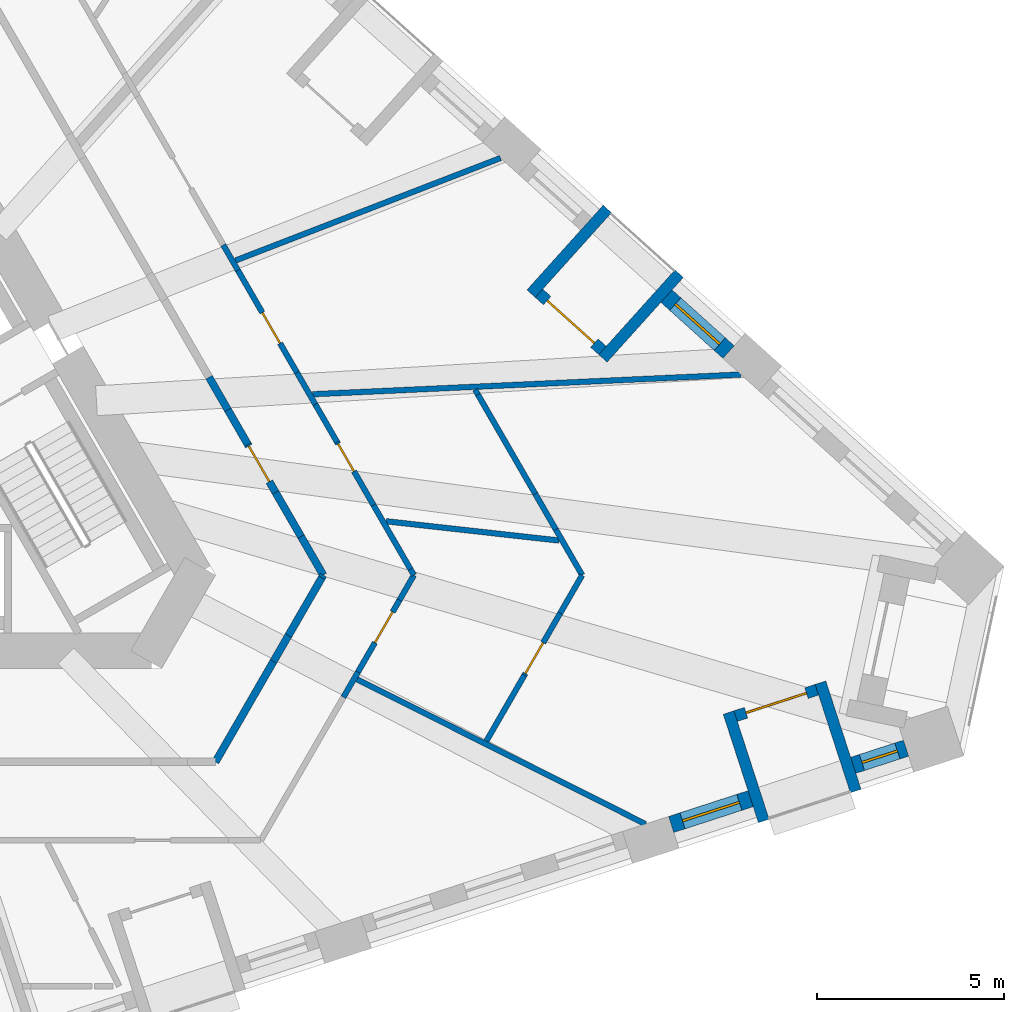
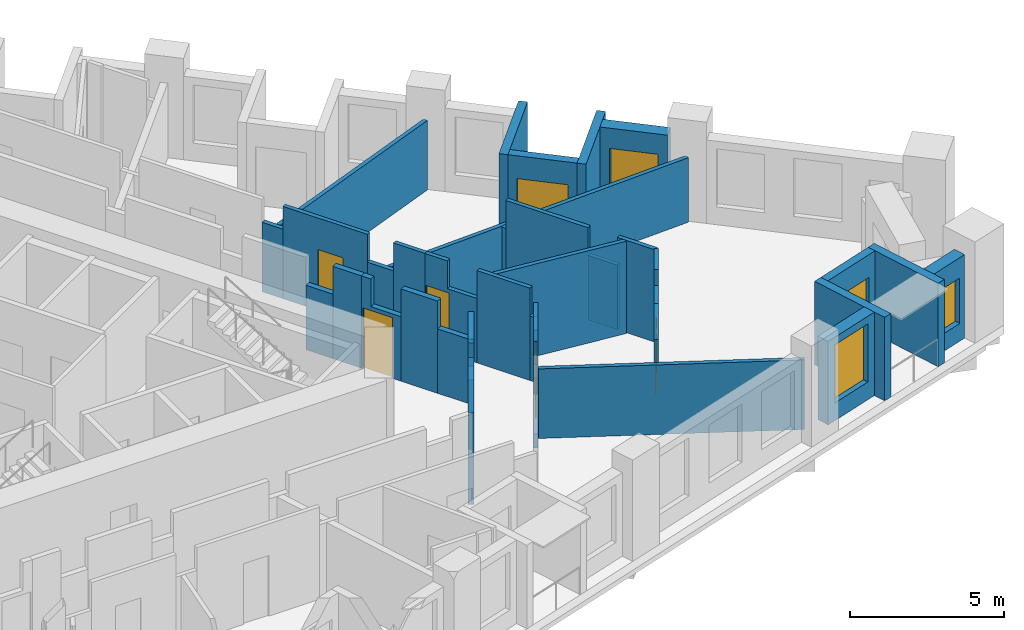
# One storey, part 6 of 12: 39 walls, 7 doors, 3 windows, 10 openings.
"""IFC4 building model written with IfcOpenShell, lengths in metres."""

from ifc_helpers import new_model, si_unit, direction, frame, frame_2d, origin, place, context, subcontext, project, spatial, polyline, rectangle, outline, extrude, material, layer, layer_set, type_object, element, fill, save


model = new_model("IFC4")

# Units and contexts
model_context = context("Model", 3, precision=1e-05, world=origin(), true_north=direction((0.0, 1.0)))
body_context = subcontext(model_context, "Body", "Model", "MODEL_VIEW")
ifc_project = project(units=[si_unit("LENGTHUNIT", "METRE"), si_unit("AREAUNIT", "SQUARE_METRE"), si_unit("VOLUMEUNIT", "CUBIC_METRE"), si_unit("PLANEANGLEUNIT", "RADIAN"), si_unit("MASSUNIT", "GRAM", prefix="KILO")], contexts=[model_context])

# Site, building, storey
site_placement = place(None, origin())
site = spatial("IfcSite", under=ifc_project, at=site_placement, CompositionType="ELEMENT")
building_placement = place(site_placement, origin())
building = spatial("IfcBuilding", under=site, at=building_placement, Name="Tramontana Tower", CompositionType="ELEMENT")
storey_placement = place(building_placement, frame((0.0, 0.0, 92.39990234375)))
storey = spatial("IfcBuildingStorey", under=building, at=storey_placement, Name="L20", CompositionType="ELEMENT", Elevation=92.39990234375)

# Walls
ifc_material_1 = material(Name="Blockwork", Category="masonry")
ifc_layer_1 = layer(ifc_material_1, 0.199951171875)
ifc_layer_set_1 = layer_set([ifc_layer_1], Name="ENTRY WALL 200")
wall_type_1 = type_object("IfcWallType", Name="ENTRY WALL 200", PredefinedType="SOLIDWALL", material=ifc_layer_set_1)
wall_1_placement = place(storey_placement, frame((10.077392578125, 1.04541015625, 0.0), z_axis=(0.0, 0.0, 1.0), x_axis=(0.500051323872, -0.865995769906, 0.0)))
element("IfcWall", 1, at=wall_1_placement, inside=storey, type_object=wall_type_1, Name="Wall v20-ew0-7", PredefinedType="SOLIDWALL", context=body_context, shape_type="SweptSolid", body=[
    extrude(rectangle(XDim=1.0068359375, YDim=0.199951171875, at=frame_2d((0.50341796875, 0.0))), origin(), (0.0, 0.0, 1.0), 2.550048828125),
])
wall_2_placement = place(storey_placement, frame((10.580810546875, 0.173583984375, 0.0), z_axis=(0.0, 0.0, 1.0), x_axis=(0.499920058375, -0.866071553184, 0.0)))
element("IfcWall", 2, at=wall_2_placement, inside=storey, type_object=wall_type_1, Name="Wall v20-ew0-8", PredefinedType="SOLIDWALL", context=body_context, shape_type="SweptSolid", body=[
    extrude(rectangle(XDim=1.069580078125, YDim=0.199951171875, at=frame_2d((0.53466796875, 0.0))), origin(), (0.0, 0.0, 1.0), 3.650146484375),
])

# Wall, opening, door
wall_3_placement = place(storey_placement, frame((11.115478515625, -0.752685546875, 0.0), z_axis=(0.0, 0.0, 1.0), x_axis=(0.499973719246, -0.866040576453, 0.0)))
wall_3 = element("IfcWall", 3, at=wall_3_placement, inside=storey, type_object=wall_type_1, Name="Wall v20-ew0-9", PredefinedType="SOLIDWALL", context=body_context, shape_type="SweptSolid", body=[
    extrude(outline(polyline([(0.0, 0.0), (1.48583984375, 0.0), (1.48583984375, 2.550048828125), (0.349853515625, 2.550048828125), (0.349853515625, 3.650146484375), (0.0, 3.650146484375), (0.0, 0.0)])), frame((0.0, 0.10009765625, 0.0), z_axis=(0.0, -1.0, 0.0), x_axis=(1.0, 0.0, 0.0)), (0.0, 0.0, 1.0), 0.199951171875),
])
opening_1_placement = place(wall_3_placement, frame((0.050048828125, 0.0, 0.0)))
opening_1 = element("IfcOpeningElement", 4, at=opening_1_placement, cuts=wall_3, Name="Opening B2A-24", PredefinedType="OPENING", context=body_context, shape_type="SweptSolid", body=[
    extrude(rectangle(XDim=1.10009765625, YDim=2.39990234375, at=frame_2d((0.550048828125, 1.199951171875))), frame((0.0, 0.10986328125, 0.0), z_axis=(0.0, -1.0, 0.0), x_axis=(1.0, 0.0, 0.0)), (0.0, 0.0, 1.0), 0.219970703125),
])
ifc_material_2 = material(Name="Painted timber", Category="wood")
door_type_1 = type_object("IfcDoorType", Name="DOOR ENTRY 1100", OperationType="SINGLE_SWING_LEFT", PredefinedType="DOOR", material=ifc_material_2)
door_1_placement = place(opening_1_placement, origin())
door_1 = element("IfcDoor", 5, at=door_1_placement, inside=storey, type_object=door_type_1, Name="Door B2A-24", OperationType="SINGLE_SWING_RIGHT", OverallHeight=2.39990234375, OverallWidth=1.10009765625, PredefinedType="DOOR", context=body_context, shape_type="SweptSolid", body=[
    extrude(rectangle(XDim=1.10009765625, YDim=2.39990234375, at=frame_2d((0.550048828125, 1.199951171875))), frame((0.0, 0.02490234375, 0.0), z_axis=(0.0, -1.0, 0.0), x_axis=(1.0, 0.0, 0.0)), (0.0, 0.0, 1.0), 0.050048828125),
])
fill(opening_1, door_1)

# Walls
wall_4_placement = place(storey_placement, frame((11.8583984375, -2.03955078125, 0.0), z_axis=(0.0, 0.0, 1.0), x_axis=(0.500038357328, -0.866003257038, 0.0)))
element("IfcWall", 6, at=wall_4_placement, inside=storey, type_object=wall_type_1, Name="Wall v20-ew0-10", PredefinedType="SOLIDWALL", context=body_context, shape_type="SweptSolid", body=[
    extrude(rectangle(XDim=1.3603515625, YDim=0.199951171875, at=frame_2d((0.68017578125, 0.0))), origin(), (0.0, 0.0, 1.0), 3.650146484375),
])
wall_5_placement = place(storey_placement, frame((12.53857421875, -3.217529296875, 0.0), z_axis=(0.0, 0.0, 1.0), x_axis=(0.500059236744, -0.865991200733, 0.0)))
element("IfcWall", 7, at=wall_5_placement, inside=storey, type_object=wall_type_1, Name="Wall v20-ew0-11", PredefinedType="SOLIDWALL", context=body_context, shape_type="SweptSolid", body=[
    extrude(rectangle(XDim=1.192138671875, YDim=0.199951171875, at=frame_2d((0.59619140625, 0.0))), origin(), (0.0, 0.0, 1.0), 2.550048828125),
])
wall_6_placement = place(storey_placement, frame((13.134765625, -4.25, 0.0), z_axis=(0.0, 0.0, 1.0), x_axis=(-0.501397775159, -0.865216892499, 0.0)))
element("IfcWall", 8, at=wall_6_placement, inside=storey, type_object=wall_type_1, Name="Wall v20-ew1-0", PredefinedType="SOLIDWALL", context=body_context, shape_type="SweptSolid", body=[
    extrude(rectangle(XDim=0.079833984375, YDim=0.199951171875, at=frame_2d((0.0400390625, 0.0))), origin(), (0.0, 0.0, 1.0), 2.550048828125),
])
wall_7_placement = place(storey_placement, frame((13.0947265625, -4.319091796875, 0.0), z_axis=(0.0, 0.0, 1.0), x_axis=(-0.499986405537, -0.866033252409, 0.0)))
element("IfcWall", 9, at=wall_7_placement, inside=storey, type_object=wall_type_1, Name="Wall v20-ew1-1", PredefinedType="SOLIDWALL", context=body_context, shape_type="SweptSolid", body=[
    extrude(rectangle(XDim=1.7880859375, YDim=0.199951171875, at=frame_2d((0.89404296875, 0.0))), origin(), (0.0, 0.0, 1.0), 3.650146484375),
])
wall_8_placement = place(storey_placement, frame((12.20068359375, -5.86767578125, 0.0), z_axis=(0.0, 0.0, 1.0), x_axis=(-0.499942357345, -0.866058681229, 0.0)))
element("IfcWall", 10, at=wall_8_placement, inside=storey, type_object=wall_type_1, Name="Wall v20-ew1-2", PredefinedType="SOLIDWALL", context=body_context, shape_type="SweptSolid", body=[
    extrude(rectangle(XDim=0.80078125, YDim=0.199951171875, at=frame_2d((0.400390625, 0.0))), origin(), (0.0, 0.0, 1.0), 2.75),
])
wall_9_placement = place(storey_placement, frame((11.80029296875, -6.561279296875, 0.0), z_axis=(0.0, 0.0, 1.0), x_axis=(-0.499978855264, -0.866037611359, 0.0)))
element("IfcWall", 11, at=wall_9_placement, inside=storey, type_object=wall_type_1, Name="Wall v20-ew1-3", PredefinedType="SOLIDWALL", context=body_context, shape_type="SweptSolid", body=[
    extrude(rectangle(XDim=3.104736328125, YDim=0.199951171875, at=frame_2d((1.55224609375, 0.0))), origin(), (0.0, 0.0, 1.0), 3.650146484375),
])

# Wall, opening, window
ifc_material_3 = material(Name="Precast concrete 60 MPa", Category="concrete")
ifc_layer_2 = layer(ifc_material_3, 0.449951171875)
ifc_layer_set_2 = layer_set([ifc_layer_2], Name="Precast concrete 60 MPa, 450 mm")
wall_type_2 = type_object("IfcWallType", Name="EW1 Stone-faced precast wall 450", PredefinedType="SOLIDWALL", material=ifc_layer_set_2)
wall_10_placement = place(storey_placement, frame((22.444580078125, -10.923828125, 0.0), z_axis=(0.0, 0.0, 1.0), x_axis=(0.951067749801, 0.30898241906, 0.0)))
wall_10 = element("IfcWall", 12, at=wall_10_placement, inside=storey, type_object=wall_type_2, Name="External wall L20 face 1 bay 6", PredefinedType="SOLIDWALL", context=body_context, shape_type="SweptSolid", body=[
    extrude(rectangle(XDim=2.23681640625, YDim=0.449951171875, at=frame_2d((1.118408203125, 0.0))), origin(), (0.0, 0.0, 1.0), 3.300048828125),
])
opening_2_placement = place(wall_10_placement, frame((0.318359375, 0.0, 0.699951171875)))
opening_2 = element("IfcOpeningElement", 13, at=opening_2_placement, cuts=wall_10, Name="Opening M1", PredefinedType="OPENING", context=body_context, shape_type="SweptSolid", body=[
    extrude(rectangle(XDim=1.60009765625, YDim=2.300048828125, at=frame_2d((0.800048828125, 1.14990234375))), frame((0.0, 0.23486328125, 0.0), z_axis=(0.0, -1.0, 0.0), x_axis=(1.0, 0.0, 0.0)), (0.0, 0.0, 1.0), 0.469970703125),
])
ifc_material_4 = material(Name="Aluminum frame, double glazing unit", Category="aluminium")
window_type_1 = type_object("IfcWindowType", Name="M1 Window 1.6 x 2.3", PartitioningType="SINGLE_PANEL", PredefinedType="WINDOW", material=ifc_material_4)
window_1_placement = place(opening_2_placement, origin())
window_1 = element("IfcWindow", 14, at=window_1_placement, inside=storey, type_object=window_type_1, Name="Window M1 L20 face 1 module 16", OverallHeight=2.300048828125, OverallWidth=1.60009765625, PartitioningType="SINGLE_PANEL", PredefinedType="WINDOW", context=body_context, shape_type="SweptSolid", body=[
    extrude(rectangle(XDim=1.60009765625, YDim=2.300048828125, at=frame_2d((0.800048828125, 1.14990234375))), frame((0.0, 0.030029296875, 0.0), z_axis=(0.0, -1.0, 0.0), x_axis=(1.0, 0.0, 0.0)), (0.0, 0.0, 1.0), 0.06005859375),
])
fill(opening_2, window_1)

wall_11_placement = place(storey_placement, frame((27.3173828125, -9.340576171875, 0.0), z_axis=(0.0, 0.0, 1.0), x_axis=(0.951053373744, 0.309026665985, 0.0)))
wall_11 = element("IfcWall", 15, at=wall_11_placement, inside=storey, type_object=wall_type_2, Name="External wall L20 face 1 bay 6", PredefinedType="SOLIDWALL", context=body_context, shape_type="SweptSolid", body=[
    extrude(rectangle(XDim=1.48681640625, YDim=0.449951171875, at=frame_2d((0.743408203125, 0.0))), origin(), (0.0, 0.0, 1.0), 3.300048828125),
])
opening_3_placement = place(wall_11_placement, frame((0.243408203125, 0.0, 0.699951171875)))
opening_3 = element("IfcOpeningElement", 16, at=opening_3_placement, cuts=wall_11, Name="Opening N1L", PredefinedType="OPENING", context=body_context, shape_type="SweptSolid", body=[
    extrude(rectangle(XDim=1.0, YDim=1.800048828125, at=frame_2d((0.5, 0.89990234375))), frame((0.0, 0.23486328125, 0.0), z_axis=(0.0, -1.0, 0.0), x_axis=(1.0, 0.0, 0.0)), (0.0, 0.0, 1.0), 0.469970703125),
])
ifc_material_5 = material(Name="Aluminum frame, double glazing unit", Category="aluminium")
window_type_2 = type_object("IfcWindowType", Name="N1L Window 1 x 1.8", PartitioningType="SINGLE_PANEL", PredefinedType="WINDOW", material=ifc_material_5)
window_2_placement = place(opening_3_placement, origin())
window_2 = element("IfcWindow", 17, at=window_2_placement, inside=storey, type_object=window_type_2, Name="Window N1L L20 face 1 module 18", OverallHeight=1.800048828125, OverallWidth=1.0, PartitioningType="SINGLE_PANEL", PredefinedType="WINDOW", context=body_context, shape_type="SweptSolid", body=[
    extrude(rectangle(XDim=1.0, YDim=1.800048828125, at=frame_2d((0.5, 0.89990234375))), frame((0.0, 0.030029296875, 0.0), z_axis=(0.0, -1.0, 0.0), x_axis=(1.0, 0.0, 0.0)), (0.0, 0.0, 1.0), 0.06005859375),
])
fill(opening_3, window_2)

wall_12_placement = place(storey_placement, frame((23.981201171875, 1.72021484375, 0.0), z_axis=(0.0, 0.0, 1.0), x_axis=(-0.743142151309, 0.669133576311, 0.0)))
wall_12 = element("IfcWall", 18, at=wall_12_placement, inside=storey, type_object=wall_type_2, Name="External wall L20 face 2 bay 2", PredefinedType="SOLIDWALL", context=body_context, shape_type="SweptSolid", body=[
    extrude(rectangle(XDim=2.236572265625, YDim=0.449951171875, at=frame_2d((1.1181640625, 0.0))), origin(), (0.0, 0.0, 1.0), 3.300048828125),
])
opening_4_placement = place(wall_12_placement, frame((0.318359375, 0.0, 0.699951171875)))
opening_4 = element("IfcOpeningElement", 19, at=opening_4_placement, cuts=wall_12, Name="Opening M1L", PredefinedType="OPENING", context=body_context, shape_type="SweptSolid", body=[
    extrude(rectangle(XDim=1.60009765625, YDim=1.800048828125, at=frame_2d((0.800048828125, 0.89990234375))), frame((0.0, 0.23486328125, 0.0), z_axis=(0.0, -1.0, 0.0), x_axis=(1.0, 0.0, 0.0)), (0.0, 0.0, 1.0), 0.469970703125),
])
ifc_material_6 = material(Name="Aluminum frame, double glazing unit", Category="aluminium")
window_type_3 = type_object("IfcWindowType", Name="M1L Window 1.6 x 1.8", PartitioningType="SINGLE_PANEL", PredefinedType="WINDOW", material=ifc_material_6)
window_3_placement = place(opening_4_placement, origin())
window_3 = element("IfcWindow", 20, at=window_3_placement, inside=storey, type_object=window_type_3, Name="Window M1L L20 face 2 module 4", OverallHeight=1.800048828125, OverallWidth=1.60009765625, PartitioningType="SINGLE_PANEL", PredefinedType="WINDOW", context=body_context, shape_type="SweptSolid", body=[
    extrude(rectangle(XDim=1.60009765625, YDim=1.800048828125, at=frame_2d((0.800048828125, 0.89990234375))), frame((0.0, 0.030029296875, 0.0), z_axis=(0.0, -1.0, 0.0), x_axis=(1.0, 0.0, 0.0)), (0.0, 0.0, 1.0), 0.06005859375),
])
fill(opening_4, window_3)

# Wall, opening, door
ifc_material_7 = material(Name="Precast concrete 60 MPa", Category="concrete")
ifc_layer_3 = layer(ifc_material_7, 0.300048828125)
ifc_layer_set_3 = layer_set([ifc_layer_3], Name="LW1 Stone-faced loggia wall 300")
wall_type_3 = type_object("IfcWallType", Name="LW1 Stone-faced loggia wall 300", PredefinedType="SOLIDWALL", material=ifc_layer_set_3)
wall_13_placement = place(storey_placement, frame((24.169677734375, -8.02392578125, 0.0), z_axis=(0.0, 0.0, 1.0), x_axis=(0.95103720697, 0.309076416051, 0.0)))
wall_13 = element("IfcWall", 21, at=wall_13_placement, inside=storey, type_object=wall_type_3, Name="Loggia wall L20 G2S1.16", PredefinedType="SOLIDWALL", context=body_context, shape_type="SweptSolid", body=[
    extrude(rectangle(XDim=2.286865234375, YDim=0.300048828125, at=frame_2d((1.1435546875, 0.0))), origin(), (0.0, 0.0, 1.0), 3.300048828125),
])
opening_5_placement = place(wall_13_placement, frame((0.29345703125, 0.0, 0.0)))
opening_5 = element("IfcOpeningElement", 22, at=opening_5_placement, cuts=wall_13, Name="Opening BD-2S1-16", PredefinedType="OPENING", context=body_context, shape_type="SweptSolid", body=[
    extrude(rectangle(XDim=1.699951171875, YDim=2.39990234375, at=frame_2d((0.85009765625, 1.199951171875))), frame((0.0, 0.159912109375, 0.0), z_axis=(0.0, -1.0, 0.0), x_axis=(1.0, 0.0, 0.0)), (0.0, 0.0, 1.0), 0.320068359375),
])
ifc_material_8 = material(Name="Aluminum frame, double glazing unit", Category="aluminium")
door_type_2 = type_object("IfcDoorType", Name="BD1 Sliding door 1.7 x 2.4", OperationType="SLIDING_TO_LEFT", PredefinedType="DOOR", material=ifc_material_8)
door_2_placement = place(opening_5_placement, origin())
door_2 = element("IfcDoor", 23, at=door_2_placement, inside=storey, type_object=door_type_2, Name="Loggia door L20 G2S1.16", OperationType="SLIDING_TO_LEFT", OverallHeight=2.39990234375, OverallWidth=1.699951171875, PredefinedType="DOOR", context=body_context, shape_type="SweptSolid", body=[
    extrude(rectangle(XDim=1.699951171875, YDim=2.39990234375, at=frame_2d((0.85009765625, 1.199951171875))), frame((0.0, 0.02490234375, 0.0), z_axis=(0.0, -1.0, 0.0), x_axis=(1.0, 0.0, 0.0)), (0.0, 0.0, 1.0), 0.050048828125),
])
fill(opening_5, door_2)

# Walls
wall_14_placement = place(storey_placement, frame((24.923095703125, -10.828369140625, 0.0), z_axis=(0.0, 0.0, 1.0), x_axis=(-0.308966615996, 0.951072883748, 0.0)))
element("IfcWall", 24, at=wall_14_placement, inside=storey, type_object=wall_type_3, Name="Loggia return L20 G2S1.16a", PredefinedType="SOLIDWALL", context=body_context, shape_type="SweptSolid", body=[
    extrude(rectangle(XDim=3.050048828125, YDim=0.300048828125, at=frame_2d((1.52490234375, 0.0))), origin(), (0.0, 0.0, 1.0), 3.300048828125),
])
wall_15_placement = place(storey_placement, frame((27.38330078125, -10.02880859375, 0.0), z_axis=(0.0, 0.0, 1.0), x_axis=(-0.308990138358, 0.951065241925, 0.0)))
element("IfcWall", 25, at=wall_15_placement, inside=storey, type_object=wall_type_3, Name="Loggia return L20 G2S1.16b", PredefinedType="SOLIDWALL", context=body_context, shape_type="SweptSolid", body=[
    extrude(rectangle(XDim=3.0498046875, YDim=0.300048828125, at=frame_2d((1.52490234375, 0.0))), origin(), (0.0, 0.0, 1.0), 3.300048828125),
])

# Wall, opening, door
wall_16_placement = place(storey_placement, frame((20.607421875, 1.76416015625, 0.0), z_axis=(0.0, 0.0, 1.0), x_axis=(-0.743182653308, 0.669088591909, 0.0)))
wall_16 = element("IfcWall", 26, at=wall_16_placement, inside=storey, type_object=wall_type_3, Name="Loggia wall L20 G2S2.4", PredefinedType="SOLIDWALL", context=body_context, shape_type="SweptSolid", body=[
    extrude(rectangle(XDim=2.28662109375, YDim=0.300048828125, at=frame_2d((1.143310546875, 0.0))), origin(), (0.0, 0.0, 1.0), 3.300048828125),
])
opening_6_placement = place(wall_16_placement, frame((0.29345703125, 0.0, 0.0)))
opening_6 = element("IfcOpeningElement", 27, at=opening_6_placement, cuts=wall_16, Name="Opening BD-2S2-04", PredefinedType="OPENING", context=body_context, shape_type="SweptSolid", body=[
    extrude(rectangle(XDim=1.699951171875, YDim=2.39990234375, at=frame_2d((0.85009765625, 1.199951171875))), frame((0.0, 0.159912109375, 0.0), z_axis=(0.0, -1.0, 0.0), x_axis=(1.0, 0.0, 0.0)), (0.0, 0.0, 1.0), 0.320068359375),
])
door_3_placement = place(opening_6_placement, origin())
door_3 = element("IfcDoor", 28, at=door_3_placement, inside=storey, type_object=door_type_2, Name="Loggia door L20 G2S2.4", OperationType="SLIDING_TO_LEFT", OverallHeight=2.39990234375, OverallWidth=1.699951171875, PredefinedType="DOOR", context=body_context, shape_type="SweptSolid", body=[
    extrude(rectangle(XDim=1.699951171875, YDim=2.39990234375, at=frame_2d((0.85009765625, 1.199951171875))), frame((0.0, 0.02490234375, 0.0), z_axis=(0.0, -1.0, 0.0), x_axis=(1.0, 0.0, 0.0)), (0.0, 0.0, 1.0), 0.050048828125),
])
fill(opening_6, door_3)

# Walls
for number, where, z_axis, x_axis, name in (
    (29, (22.6591796875, 3.81884765625, 0.0), (0.0, 0.0, 1.0), (-0.669115082961, -0.743158802514, 0.0), "Loggia return L20 G2S2.4a"),
    (30, (20.73681640625, 5.5498046875, 0.0), (0.0, 0.0, 1.0), (-0.669115082961, -0.743158802514, 0.0), "Loggia return L20 G2S2.4b"),
):
    element("IfcWall", number, at=place(storey_placement, frame(where, z_axis=z_axis, x_axis=x_axis)), inside=storey, type_object=wall_type_3, Name=name, PredefinedType="SOLIDWALL", context=body_context, shape_type="SweptSolid", body=[
        extrude(rectangle(XDim=3.050048828125, YDim=0.300048828125, at=frame_2d((1.52490234375, 0.0))), origin(), (0.0, 0.0, 1.0), 3.300048828125),
    ])
ifc_material_9 = material(Name="Gypsum board partition")
ifc_layer_4 = layer(ifc_material_9, 0.14990234375)
ifc_layer_set_4 = layer_set([ifc_layer_4], Name="PARTITION 150")
wall_type_4 = type_object("IfcWallType", Name="PARTITION 150", PredefinedType="PARTITIONING", material=ifc_layer_set_4)
wall_17_placement = place(storey_placement, frame((10.4580078125, 4.58642578125, 0.0), z_axis=(0.0, 0.0, 1.0), x_axis=(0.49979442921, -0.866144057608, 0.0)))
element("IfcWall", 31, at=wall_17_placement, inside=storey, type_object=wall_type_4, Name="Wall v20-pw23-4", PredefinedType="PARTITIONING", context=body_context, shape_type="SweptSolid", body=[
    extrude(rectangle(XDim=0.782958984375, YDim=0.14990234375, at=frame_2d((0.3916015625, 0.0))), origin(), (0.0, 0.0, 1.0), 2.75),
])

# Wall, opening, door
wall_18_placement = place(storey_placement, frame((10.849365234375, 3.908203125, 0.0), z_axis=(0.0, 0.0, 1.0), x_axis=(0.500027861653, -0.866009317254, 0.0)))
wall_18 = element("IfcWall", 32, at=wall_18_placement, inside=storey, type_object=wall_type_4, Name="Wall v20-pw23-5", PredefinedType="PARTITIONING", context=body_context, shape_type="SweptSolid", body=[
    extrude(rectangle(XDim=3.159912109375, YDim=0.14990234375, at=frame_2d((1.580078125, 0.0))), origin(), (0.0, 0.0, 1.0), 3.650146484375),
])
opening_7_placement = place(wall_18_placement, frame((1.30712890625, 0.0, 0.0)))
opening_7 = element("IfcOpeningElement", 33, at=opening_7_placement, cuts=wall_18, Name="Opening B2A-18", PredefinedType="OPENING", context=body_context, shape_type="SweptSolid", body=[
    extrude(rectangle(XDim=0.949951171875, YDim=2.39990234375, at=frame_2d((0.47509765625, 1.199951171875))), frame((0.0, 0.0849609375, 0.0), z_axis=(0.0, -1.0, 0.0), x_axis=(1.0, 0.0, 0.0)), (0.0, 0.0, 1.0), 0.169921875),
])
ifc_material_10 = material(Name="Painted timber", Category="wood")
door_type_3 = type_object("IfcDoorType", Name="DOOR ROOM 950", OperationType="SINGLE_SWING_LEFT", PredefinedType="DOOR", material=ifc_material_10)
door_4_placement = place(opening_7_placement, origin())
door_4 = element("IfcDoor", 34, at=door_4_placement, inside=storey, type_object=door_type_3, Name="Door B2A-18", OperationType="SINGLE_SWING_RIGHT", OverallHeight=2.39990234375, OverallWidth=0.949951171875, PredefinedType="DOOR", context=body_context, shape_type="SweptSolid", body=[
    extrude(rectangle(XDim=0.949951171875, YDim=2.39990234375, at=frame_2d((0.47509765625, 1.199951171875))), frame((0.0, 0.02490234375, 0.0), z_axis=(0.0, -1.0, 0.0), x_axis=(1.0, 0.0, 0.0)), (0.0, 0.0, 1.0), 0.050048828125),
])
fill(opening_7, door_4)

# Walls
wall_19_placement = place(storey_placement, frame((12.429443359375, 1.171630859375, 0.0), z_axis=(0.0, 0.0, 1.0), x_axis=(0.499895202697, -0.866085900082, 0.0)))
element("IfcWall", 35, at=wall_19_placement, inside=storey, type_object=wall_type_4, Name="Wall v20-pw23-6", PredefinedType="PARTITIONING", context=body_context, shape_type="SweptSolid", body=[
    extrude(rectangle(XDim=0.978759765625, YDim=0.14990234375, at=frame_2d((0.4892578125, 0.0))), origin(), (0.0, 0.0, 1.0), 2.550048828125),
])
wall_20_placement = place(storey_placement, frame((12.918701171875, 0.323974609375, 0.0), z_axis=(0.0, 0.0, 1.0), x_axis=(0.500028278809, -0.866009076391, 0.0)))
element("IfcWall", 36, at=wall_20_placement, inside=storey, type_object=wall_type_4, Name="Wall v20-pw23-7", PredefinedType="PARTITIONING", context=body_context, shape_type="SweptSolid", body=[
    extrude(rectangle(XDim=1.1748046875, YDim=0.14990234375, at=frame_2d((0.58740234375, 0.0))), origin(), (0.0, 0.0, 1.0), 3.650146484375),
])

# Wall, opening, door
wall_21_placement = place(storey_placement, frame((13.506103515625, -0.693359375, 0.0), z_axis=(0.0, 0.0, 1.0), x_axis=(0.500001430823, -0.866024577697, 0.0)))
wall_21 = element("IfcWall", 37, at=wall_21_placement, inside=storey, type_object=wall_type_4, Name="Wall v20-pw23-8", PredefinedType="PARTITIONING", context=body_context, shape_type="SweptSolid", body=[
    extrude(outline(polyline([(0.0, 0.0), (1.9443359375, 0.0), (1.944580078125, 2.550048828125), (0.83984375, 2.550048828125), (0.83984375, 3.650146484375), (0.0, 3.650146484375), (0.0, 0.0)])), frame((0.0, 0.074951171875, 0.0), z_axis=(0.0, -1.0, 0.0), x_axis=(1.0, 0.0, 0.0)), (0.0, 0.0, 1.0), 0.14990234375),
])
opening_8_placement = place(wall_21_placement, frame((0.050048828125, 0.0, 0.0)))
opening_8 = element("IfcOpeningElement", 38, at=opening_8_placement, cuts=wall_21, Name="Opening B2A-16", PredefinedType="OPENING", context=body_context, shape_type="SweptSolid", body=[
    extrude(rectangle(XDim=0.85009765625, YDim=2.39990234375, at=frame_2d((0.425048828125, 1.199951171875))), frame((0.0, 0.0849609375, 0.0), z_axis=(0.0, -1.0, 0.0), x_axis=(1.0, 0.0, 0.0)), (0.0, 0.0, 1.0), 0.169921875),
])
ifc_material_11 = material(Name="Painted timber", Category="wood")
door_type_4 = type_object("IfcDoorType", Name="DOOR BATH 850", OperationType="SINGLE_SWING_LEFT", PredefinedType="DOOR", material=ifc_material_11)
door_5_placement = place(opening_8_placement, origin())
door_5 = element("IfcDoor", 39, at=door_5_placement, inside=storey, type_object=door_type_4, Name="Door B2A-16", OperationType="SINGLE_SWING_RIGHT", OverallHeight=2.39990234375, OverallWidth=0.85009765625, PredefinedType="DOOR", context=body_context, shape_type="SweptSolid", body=[
    extrude(rectangle(XDim=0.85009765625, YDim=2.39990234375, at=frame_2d((0.425048828125, 1.199951171875))), frame((0.0, 0.02490234375, 0.0), z_axis=(0.0, -1.0, 0.0), x_axis=(1.0, 0.0, 0.0)), (0.0, 0.0, 1.0), 0.050048828125),
])
fill(opening_8, door_5)

# Walls
wall_22_placement = place(storey_placement, frame((14.478271484375, -2.377197265625, 0.0), z_axis=(0.0, 0.0, 1.0), x_axis=(0.499971491109, -0.866041862775, 0.0)))
element("IfcWall", 40, at=wall_22_placement, inside=storey, type_object=wall_type_4, Name="Wall v20-pw23-9", PredefinedType="PARTITIONING", context=body_context, shape_type="SweptSolid", body=[
    extrude(rectangle(XDim=1.97998046875, YDim=0.14990234375, at=frame_2d((0.989990234375, 0.0))), origin(), (0.0, 0.0, 1.0), 3.650146484375),
])
wall_23_placement = place(storey_placement, frame((15.46826171875, -4.092041015625, 0.0), z_axis=(0.0, 0.0, 1.0), x_axis=(0.50045593687, -0.865762008436, 0.0)))
element("IfcWall", 41, at=wall_23_placement, inside=storey, type_object=wall_type_4, Name="Wall v20-pw23-10", PredefinedType="PARTITIONING", context=body_context, shape_type="SweptSolid", body=[
    extrude(rectangle(XDim=0.182373046875, YDim=0.14990234375, at=frame_2d((0.09130859375, 0.0))), origin(), (0.0, 0.0, 1.0), 2.550048828125),
])
wall_24_placement = place(storey_placement, frame((10.784912109375, 4.170166015625, 0.0), z_axis=(0.0, 0.0, 1.0), x_axis=(0.932701213241, 0.360650033716, 0.0)))
element("IfcWall", 42, at=wall_24_placement, inside=storey, type_object=wall_type_4, Name="Wall v20-pw30-0", PredefinedType="PARTITIONING", context=body_context, shape_type="SweptSolid", body=[
    extrude(rectangle(XDim=7.604736328125, YDim=0.14990234375, at=frame_2d((3.80224609375, 0.0))), origin(), (0.0, 0.0, 1.0), 2.75),
])
wall_25_placement = place(storey_placement, frame((12.851318359375, 0.591064453125, 0.0), z_axis=(0.0, 0.0, 1.0), x_axis=(0.998944359646, 0.045936546805, 0.0)))
element("IfcWall", 43, at=wall_25_placement, inside=storey, type_object=wall_type_4, Name="Wall v20-pw33-0", PredefinedType="PARTITIONING", context=body_context, shape_type="SweptSolid", body=[
    extrude(rectangle(XDim=11.474609375, YDim=0.14990234375, at=frame_2d((5.7373046875, 0.0))), origin(), (0.0, 0.0, 1.0), 2.550048828125),
])
wall_26_placement = place(storey_placement, frame((14.813720703125, -2.80810546875, 0.0), z_axis=(0.0, 0.0, 1.0), x_axis=(0.993844670605, -0.110782537929, 0.0)))
element("IfcWall", 44, at=wall_26_placement, inside=storey, type_object=wall_type_4, Name="Wall v20-pw34", PredefinedType="PARTITIONING", context=body_context, shape_type="SweptSolid", body=[
    extrude(rectangle(XDim=4.656494140625, YDim=0.14990234375, at=frame_2d((2.328125, 0.0))), origin(), (0.0, 0.0, 1.0), 3.650146484375),
])
wall_27_placement = place(storey_placement, frame((15.5595703125, -4.25, 0.0), z_axis=(0.0, 0.0, 1.0), x_axis=(-0.500124558158, -0.865953478154, 0.0)))
element("IfcWall", 45, at=wall_27_placement, inside=storey, type_object=wall_type_4, Name="Wall v20-pw35-0", PredefinedType="PARTITIONING", context=body_context, shape_type="SweptSolid", body=[
    extrude(rectangle(XDim=0.770751953125, YDim=0.14990234375, at=frame_2d((0.38525390625, 0.0))), origin(), (0.0, 0.0, 1.0), 2.550048828125),
])

# Wall, opening, door
wall_28_placement = place(storey_placement, frame((15.174072265625, -4.91748046875, 0.0), z_axis=(0.0, 0.0, 1.0), x_axis=(-0.49993766618, -0.866061389241, 0.0)))
wall_28 = element("IfcWall", 46, at=wall_28_placement, inside=storey, type_object=wall_type_4, Name="Wall v20-pw35-1", PredefinedType="PARTITIONING", context=body_context, shape_type="SweptSolid", body=[
    extrude(rectangle(XDim=2.225830078125, YDim=0.14990234375, at=frame_2d((1.11279296875, 0.0))), origin(), (0.0, 0.0, 1.0), 3.650146484375),
])
opening_9_placement = place(wall_28_placement, frame((0.366455078125, 0.0, 0.0)))
opening_9 = element("IfcOpeningElement", 47, at=opening_9_placement, cuts=wall_28, Name="Opening B2A-15", PredefinedType="OPENING", context=body_context, shape_type="SweptSolid", body=[
    extrude(rectangle(XDim=0.949951171875, YDim=2.39990234375, at=frame_2d((0.47509765625, 1.199951171875))), frame((0.0, 0.0849609375, 0.0), z_axis=(0.0, -1.0, 0.0), x_axis=(1.0, 0.0, 0.0)), (0.0, 0.0, 1.0), 0.169921875),
])
door_6_placement = place(opening_9_placement, origin())
door_6 = element("IfcDoor", 48, at=door_6_placement, inside=storey, type_object=door_type_3, Name="Door B2A-15", OperationType="SINGLE_SWING_LEFT", OverallHeight=2.39990234375, OverallWidth=0.949951171875, PredefinedType="DOOR", context=body_context, shape_type="SweptSolid", body=[
    extrude(rectangle(XDim=0.949951171875, YDim=2.39990234375, at=frame_2d((0.47509765625, 1.199951171875))), frame((0.0, 0.02490234375, 0.0), z_axis=(0.0, -1.0, 0.0), x_axis=(1.0, 0.0, 0.0)), (0.0, 0.0, 1.0), 0.050048828125),
])
fill(opening_9, door_6)

# Walls
wall_29_placement = place(storey_placement, frame((14.061279296875, -6.84521484375, 0.0), z_axis=(0.0, 0.0, 1.0), x_axis=(-0.500031167255, -0.866007408613, 0.0)))
element("IfcWall", 49, at=wall_29_placement, inside=storey, type_object=wall_type_4, Name="Wall v20-pw35-2", PredefinedType="PARTITIONING", context=body_context, shape_type="SweptSolid", body=[
    extrude(rectangle(XDim=0.77587890625, YDim=0.14990234375, at=frame_2d((0.387939453125, 0.0))), origin(), (0.0, 0.0, 1.0), 2.75),
])
wall_30_placement = place(storey_placement, frame((17.196044921875, 0.715576171875, 0.0), z_axis=(0.0, 0.0, 1.0), x_axis=(0.499858525911, -0.866107068482, 0.0)))
element("IfcWall", 50, at=wall_30_placement, inside=storey, type_object=wall_type_4, Name="Wall v20-pw36-0", PredefinedType="PARTITIONING", context=body_context, shape_type="SweptSolid", body=[
    extrude(rectangle(XDim=0.1552734375, YDim=0.14990234375, at=frame_2d((0.07763671875, 0.0))), origin(), (0.0, 0.0, 1.0), 2.550048828125),
])
wall_31_placement = place(storey_placement, frame((17.273681640625, 0.5810546875, 0.0), z_axis=(0.0, 0.0, 1.0), x_axis=(0.500037354383, -0.866003836147, 0.0)))
element("IfcWall", 51, at=wall_31_placement, inside=storey, type_object=wall_type_4, Name="Wall v20-pw36-1", PredefinedType="PARTITIONING", context=body_context, shape_type="SweptSolid", body=[
    extrude(rectangle(XDim=3.064697265625, YDim=0.14990234375, at=frame_2d((1.5322265625, 0.0))), origin(), (0.0, 0.0, 1.0), 3.650146484375),
])
wall_32_placement = place(storey_placement, frame((18.80615234375, -2.072998046875, 0.0), z_axis=(0.0, 0.0, 1.0), x_axis=(0.499894629757, -0.866086230776, 0.0)))
element("IfcWall", 52, at=wall_32_placement, inside=storey, type_object=wall_type_4, Name="Wall v20-pw36-2", PredefinedType="PARTITIONING", context=body_context, shape_type="SweptSolid", body=[
    extrude(rectangle(XDim=1.104736328125, YDim=0.14990234375, at=frame_2d((0.55224609375, 0.0))), origin(), (0.0, 0.0, 1.0), 2.550048828125),
])
wall_33_placement = place(storey_placement, frame((19.3583984375, -3.02978515625, 0.0), z_axis=(0.0, 0.0, 1.0), x_axis=(0.500052415518, -0.865995139556, 0.0)))
element("IfcWall", 53, at=wall_33_placement, inside=storey, type_object=wall_type_4, Name="Wall v20-pw36-3", PredefinedType="PARTITIONING", context=body_context, shape_type="SweptSolid", body=[
    extrude(rectangle(XDim=1.408935546875, YDim=0.14990234375, at=frame_2d((0.70458984375, 0.0))), origin(), (0.0, 0.0, 1.0), 3.650146484375),
])
wall_34_placement = place(storey_placement, frame((20.06298828125, -4.25, 0.0), z_axis=(0.0, 0.0, 1.0), x_axis=(-0.500063427972, -0.865988780531, 0.0)))
element("IfcWall", 54, at=wall_34_placement, inside=storey, type_object=wall_type_4, Name="Wall v20-pw37-0", PredefinedType="PARTITIONING", context=body_context, shape_type="SweptSolid", body=[
    extrude(rectangle(XDim=1.177490234375, YDim=0.14990234375, at=frame_2d((0.5888671875, 0.0))), origin(), (0.0, 0.0, 1.0), 3.650146484375),
])

# Wall, opening, door
wall_35_placement = place(storey_placement, frame((19.47412109375, -5.269775390625, 0.0), z_axis=(0.0, 0.0, 1.0), x_axis=(-0.499998833779, -0.866026077102, 0.0)))
wall_35 = element("IfcWall", 55, at=wall_35_placement, inside=storey, type_object=wall_type_4, Name="Wall v20-pw37-1", PredefinedType="PARTITIONING", context=body_context, shape_type="SweptSolid", body=[
    extrude(outline(polyline([(0.0, 0.0), (1.91162109375, 0.0), (1.91162109375, 3.650146484375), (0.900390625, 3.650146484375), (0.900390625, 2.550048828125), (0.0, 2.550048828125), (0.0, 0.0)])), frame((0.0, 0.074951171875, 0.0), z_axis=(0.0, -1.0, 0.0), x_axis=(1.0, 0.0, 0.0)), (0.0, 0.0, 1.0), 0.14990234375),
])
opening_10_placement = place(wall_35_placement, frame((0.91162109375, 0.0, 0.0)))
opening_10 = element("IfcOpeningElement", 56, at=opening_10_placement, cuts=wall_35, Name="Opening B2A-21", PredefinedType="OPENING", context=body_context, shape_type="SweptSolid", body=[
    extrude(rectangle(XDim=0.949951171875, YDim=2.39990234375, at=frame_2d((0.47509765625, 1.199951171875))), frame((0.0, 0.0849609375, 0.0), z_axis=(0.0, -1.0, 0.0), x_axis=(1.0, 0.0, 0.0)), (0.0, 0.0, 1.0), 0.169921875),
])
door_7_placement = place(opening_10_placement, origin())
door_7 = element("IfcDoor", 57, at=door_7_placement, inside=storey, type_object=door_type_3, Name="Door B2A-21", OperationType="SINGLE_SWING_LEFT", OverallHeight=2.39990234375, OverallWidth=0.949951171875, PredefinedType="DOOR", context=body_context, shape_type="SweptSolid", body=[
    extrude(rectangle(XDim=0.949951171875, YDim=2.39990234375, at=frame_2d((0.47509765625, 1.199951171875))), frame((0.0, 0.02490234375, 0.0), z_axis=(0.0, -1.0, 0.0), x_axis=(1.0, 0.0, 0.0)), (0.0, 0.0, 1.0), 0.050048828125),
])
fill(opening_10, door_7)

# Walls
wall_36_placement = place(storey_placement, frame((18.518310546875, -6.92529296875, 0.0), z_axis=(0.0, 0.0, 1.0), x_axis=(-0.499950448838, -0.866054010271, 0.0)))
element("IfcWall", 58, at=wall_36_placement, inside=storey, type_object=wall_type_4, Name="Wall v20-pw37-2", PredefinedType="PARTITIONING", context=body_context, shape_type="SweptSolid", body=[
    extrude(rectangle(XDim=2.039306640625, YDim=0.14990234375, at=frame_2d((1.01953125, 0.0))), origin(), (0.0, 0.0, 1.0), 3.650146484375),
])
wall_37_placement = place(storey_placement, frame((21.7568359375, -10.91064453125, 0.0), z_axis=(0.0, 0.0, 1.0), x_axis=(-0.893895152109, 0.448276094652, 0.0)))
element("IfcWall", 59, at=wall_37_placement, inside=storey, type_object=wall_type_4, Name="Wall v20-pw38-0", PredefinedType="PARTITIONING", context=body_context, shape_type="SweptSolid", body=[
    extrude(rectangle(XDim=8.63720703125, YDim=0.14990234375, at=frame_2d((4.318603515625, 0.0))), origin(), (0.0, 0.0, 1.0), 2.75),
])

save(model, "model.ifc")
